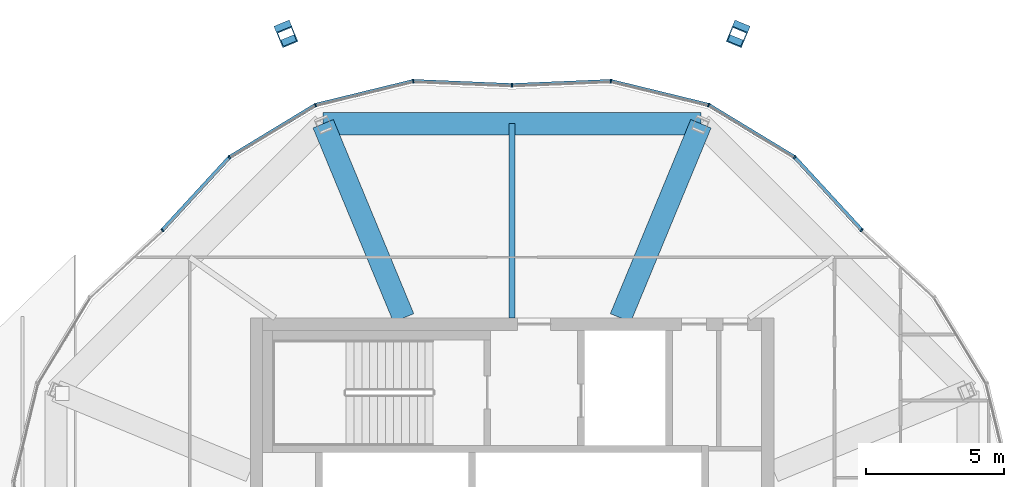
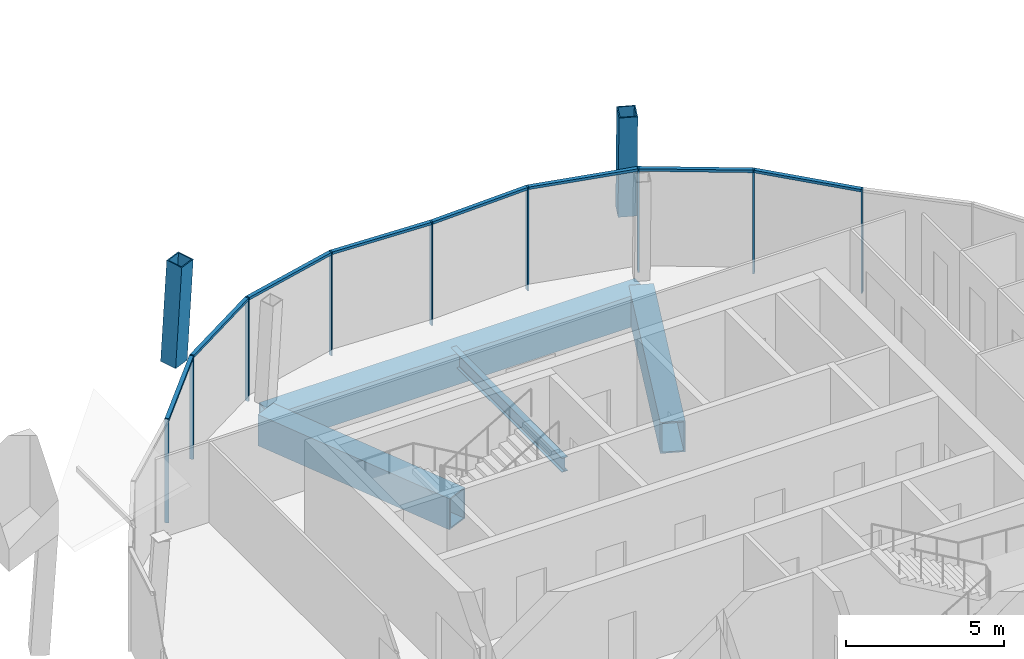
# One storey, part 7 of 22: 19 members, 4 beams, 3 elements without a shape of their own.
"""IFC4 building model written with IfcOpenShell, lengths in metres."""

from ifc_helpers import new_model, si_unit, direction, frame, origin, origin_2d, place, context, subcontext, project, spatial, rectangle, hollow_rectangle, i_section, extrude, material, material_profile, profile_set, type_object, element, aggregate, save


model = new_model("IFC4")

# Units and contexts
model_context = context("Model", 3, precision=1e-05, world=origin(), true_north=direction((0.0, 1.0)))
body_context = subcontext(model_context, "Body", "Model", "MODEL_VIEW")
ifc_project = project(units=[si_unit("LENGTHUNIT", "METRE"), si_unit("AREAUNIT", "SQUARE_METRE"), si_unit("VOLUMEUNIT", "CUBIC_METRE"), si_unit("PLANEANGLEUNIT", "RADIAN"), si_unit("MASSUNIT", "GRAM", prefix="KILO")], contexts=[model_context])

# Site, building, storey
site_placement = place(None, origin())
site = spatial("IfcSite", under=ifc_project, at=site_placement, CompositionType="ELEMENT")
building_placement = place(site_placement, origin())
building = spatial("IfcBuilding", under=site, at=building_placement, Name="Ogive Gate Towers", CompositionType="ELEMENT")
storey_placement = place(building_placement, frame((0.0, 0.0, 298.0)))
storey = spatial("IfcBuildingStorey", under=building, at=storey_placement, Name="L70", CompositionType="ELEMENT", Elevation=298.0)

# Curtain wall, member
ifc_material_1 = material(Name="Pale metal aluminium", Category="aluminium")
curtain_wall_type = type_object("IfcCurtainWallType", Name="Crown lean wall", PredefinedType="NOTDEFINED", material=ifc_material_1)
curtain_wall_1_placement = place(storey_placement, origin())
curtain_wall_1 = element("IfcCurtainWall", 1, at=curtain_wall_1_placement, inside=storey, type_object=curtain_wall_type, Name="CW5 T1 ECW01", PredefinedType="NOTDEFINED")
ifc_material_profile_1 = material_profile(ifc_material_1, rectangle(XDim=0.139892578125, YDim=0.050048828125, at=origin_2d()), Name="50 x 140 aluminium box")
ifc_profile_set_1 = profile_set([ifc_material_profile_1], Name="Pale metal aluminium")
member_type_1 = type_object("IfcMemberType", Name="Crown lean wall mullion 50 x 140", PredefinedType="MULLION", material=ifc_profile_set_1)
member_1_placement = place(storey_placement, frame((-23.3154296875, 12.686279296875, -0.300048828125), z_axis=(0.0, 0.0, 1.0), x_axis=(-0.677184245918, -0.735813493407, 0.0)))
member_1 = element("IfcMember", 2, at=member_1_placement, type_object=member_type_1, Name="CW5 mullion", PredefinedType="MULLION", context=body_context, shape_type="SweptSolid", body=[
    extrude(rectangle(XDim=0.139892578125, YDim=0.050048828125, at=origin_2d()), origin(), (0.0, 0.0, 1.0), 4.0),
])
aggregate(curtain_wall_1, [member_1])

# Curtain wall, members
curtain_wall_2_placement = place(storey_placement, origin())
curtain_wall_2 = element("IfcCurtainWall", 3, at=curtain_wall_2_placement, inside=storey, type_object=curtain_wall_type, Name="CW5 T1 ECW02", PredefinedType="NOTDEFINED")
member_2_placement = place(storey_placement, frame((-36.001220703125, 17.940185546875, -0.300048828125), z_axis=(0.0, 0.0, 1.0), x_axis=(0.041439700181, -0.99914100669, 0.0)))
member_2 = element("IfcMember", 4, at=member_2_placement, type_object=member_type_1, Name="CW5 mullion", PredefinedType="MULLION", context=body_context, shape_type="SweptSolid", body=[
    extrude(rectangle(XDim=0.139892578125, YDim=0.050048828125, at=origin_2d()), origin(), (0.0, 0.0, 1.0), 4.0),
])
member_3_placement = place(storey_placement, frame((-32.414794921875, 18.088623046875, -0.300048828125), z_axis=(0.0, 0.0, 1.0), x_axis=(-0.098833462017, -0.995103987926, 0.0)))
member_3 = element("IfcMember", 5, at=member_3_placement, type_object=member_type_1, Name="CW5 mullion", PredefinedType="MULLION", context=body_context, shape_type="SweptSolid", body=[
    extrude(rectangle(XDim=0.139892578125, YDim=0.050048828125, at=origin_2d()), origin(), (0.0, 0.0, 1.0), 4.0),
])
member_4_placement = place(storey_placement, frame((-28.8662109375, 17.22216796875, -0.300048828125), z_axis=(0.0, 0.0, 1.0), x_axis=(-0.382683432365, -0.923879532511, 0.0)))
member_4 = element("IfcMember", 6, at=member_4_placement, type_object=member_type_1, Name="CW5 mullion", PredefinedType="MULLION", context=body_context, shape_type="SweptSolid", body=[
    extrude(rectangle(XDim=0.139892578125, YDim=0.050048828125, at=origin_2d()), origin(), (0.0, 0.0, 1.0), 4.0),
])
member_5_placement = place(storey_placement, frame((-25.744384765625, 15.325439453125, -0.300048828125), z_axis=(0.0, 0.0, 1.0), x_axis=(-0.633772467207, -0.77351952775, 0.0)))
member_5 = element("IfcMember", 7, at=member_5_placement, type_object=member_type_1, Name="CW5 mullion", PredefinedType="MULLION", context=body_context, shape_type="SweptSolid", body=[
    extrude(rectangle(XDim=0.139892578125, YDim=0.050048828125, at=origin_2d()), origin(), (0.0, 0.0, 1.0), 4.0),
])

curtain_wall_3_placement = place(storey_placement, origin())
curtain_wall_3 = element("IfcCurtainWall", 8, at=curtain_wall_3_placement, inside=storey, type_object=curtain_wall_type, Name="CW5 T1 ECW03", PredefinedType="NOTDEFINED")
member_6_placement = place(storey_placement, frame((-48.686279296875, 12.6845703125, -0.300048828125), z_axis=(0.0, 0.0, 1.0), x_axis=(0.735813493407, -0.677184245918, 0.0)))
member_6 = element("IfcMember", 9, at=member_6_placement, type_object=member_type_1, Name="CW5 mullion", PredefinedType="MULLION", context=body_context, shape_type="SweptSolid", body=[
    extrude(rectangle(XDim=0.139892578125, YDim=0.050048828125, at=origin_2d()), origin(), (0.0, 0.0, 1.0), 4.0),
])
member_7_placement = place(storey_placement, frame((-46.255615234375, 15.325439453125, -0.300048828125), z_axis=(0.0, 0.0, 1.0), x_axis=(0.633772467207, -0.77351952775, 0.0)))
member_7 = element("IfcMember", 10, at=member_7_placement, type_object=member_type_1, Name="CW5 mullion", PredefinedType="MULLION", context=body_context, shape_type="SweptSolid", body=[
    extrude(rectangle(XDim=0.139892578125, YDim=0.050048828125, at=origin_2d()), origin(), (0.0, 0.0, 1.0), 4.0),
])
member_8_placement = place(storey_placement, frame((-43.1337890625, 17.22216796875, -0.300048828125), z_axis=(0.0, 0.0, 1.0), x_axis=(0.382683432365, -0.923879532511, 0.0)))
member_8 = element("IfcMember", 11, at=member_8_placement, type_object=member_type_1, Name="CW5 mullion", PredefinedType="MULLION", context=body_context, shape_type="SweptSolid", body=[
    extrude(rectangle(XDim=0.139892578125, YDim=0.050048828125, at=origin_2d()), origin(), (0.0, 0.0, 1.0), 4.0),
])
member_9_placement = place(storey_placement, frame((-39.585205078125, 18.088623046875, -0.300048828125), z_axis=(0.0, 0.0, 1.0), x_axis=(0.098833462017, -0.995103987926, 0.0)))
member_9 = element("IfcMember", 12, at=member_9_placement, type_object=member_type_1, Name="CW5 mullion", PredefinedType="MULLION", context=body_context, shape_type="SweptSolid", body=[
    extrude(rectangle(XDim=0.139892578125, YDim=0.050048828125, at=origin_2d()), origin(), (0.0, 0.0, 1.0), 4.0),
])

# Member
ifc_material_profile_2 = material_profile(ifc_material_1, rectangle(XDim=0.139892578125, YDim=0.10009765625, at=origin_2d()), Name="100 x 140 aluminium box")
ifc_profile_set_2 = profile_set([ifc_material_profile_2], Name="Pale metal aluminium")
member_type_2 = type_object("IfcMemberType", Name="Crown lean wall transom 100 x 140", PredefinedType="USERDEFINED", material=ifc_profile_set_2)
member_10_placement = place(storey_placement, frame((-35.976318359375, 17.941162109375, 3.64990234375), z_axis=(0.999141192632, 0.041435216725, 0.0), x_axis=(-0.041435216725, 0.999141192632, 0.0)))
member_10 = element("IfcMember", 13, at=member_10_placement, type_object=member_type_2, Name="CW5 transom", ObjectType="TRANSOM", PredefinedType="USERDEFINED", context=body_context, shape_type="SweptSolid", body=[
    extrude(rectangle(XDim=0.139892578125, YDim=0.10009765625, at=origin_2d()), origin(), (0.0, 0.0, 1.0), 3.53515625),
])

member_11_placement = place(storey_placement, frame((-32.386474609375, 18.081787109375, 3.64990234375), z_axis=(0.971474168805, -0.237145397056, 0.0), x_axis=(0.237145397056, 0.971474168805, 0.0)))
member_11 = element("IfcMember", 14, at=member_11_placement, type_object=member_type_2, Name="CW5 transom", ObjectType="TRANSOM", PredefinedType="USERDEFINED", context=body_context, shape_type="SweptSolid", body=[
    extrude(rectangle(XDim=0.139892578125, YDim=0.10009765625, at=origin_2d()), origin(), (0.0, 0.0, 1.0), 3.593994140625),
])

member_12_placement = place(storey_placement, frame((-28.8408203125, 17.207275390625, 3.64990234375), z_axis=(0.854590509475, -0.519302475553, 0.0), x_axis=(0.519302475553, 0.854590509475, 0.0)))
member_12 = element("IfcMember", 15, at=member_12_placement, type_object=member_type_2, Name="CW5 transom", ObjectType="TRANSOM", PredefinedType="USERDEFINED", context=body_context, shape_type="SweptSolid", body=[
    extrude(rectangle(XDim=0.139892578125, YDim=0.10009765625, at=origin_2d()), origin(), (0.0, 0.0, 1.0), 3.59423828125),
])

member_13_placement = place(storey_placement, frame((-25.724609375, 15.30419921875, 3.64990234375), z_axis=(0.677183685751, -0.735814008941, 0.0), x_axis=(0.735814008941, 0.677183685751, 0.0)))
member_13 = element("IfcMember", 16, at=member_13_placement, type_object=member_type_2, Name="CW5 transom", ObjectType="TRANSOM", PredefinedType="USERDEFINED", context=body_context, shape_type="SweptSolid", body=[
    extrude(rectangle(XDim=0.139892578125, YDim=0.10009765625, at=origin_2d()), origin(), (0.0, 0.0, 1.0), 3.535400390625),
])

aggregate(curtain_wall_2, [member_2, member_3, member_10, member_4, member_11, member_5, member_12, member_13])

member_14_placement = place(storey_placement, frame((-48.66943359375, 12.702880859375, 3.64990234375), z_axis=(0.677183685751, 0.735814008941, 0.0), x_axis=(-0.735814008941, 0.677183685751, 0.0)))
member_14 = element("IfcMember", 17, at=member_14_placement, type_object=member_type_2, Name="CW5 transom", ObjectType="TRANSOM", PredefinedType="USERDEFINED", context=body_context, shape_type="SweptSolid", body=[
    extrude(rectangle(XDim=0.139892578125, YDim=0.10009765625, at=origin_2d()), origin(), (0.0, 0.0, 1.0), 3.535400390625),
])

member_15_placement = place(storey_placement, frame((-46.230712890625, 15.3408203125, 3.64990234375), z_axis=(0.854590509475, 0.519302475553, 0.0), x_axis=(-0.519302475553, 0.854590509475, 0.0)))
member_15 = element("IfcMember", 18, at=member_15_placement, type_object=member_type_2, Name="CW5 transom", ObjectType="TRANSOM", PredefinedType="USERDEFINED", context=body_context, shape_type="SweptSolid", body=[
    extrude(rectangle(XDim=0.139892578125, YDim=0.10009765625, at=origin_2d()), origin(), (0.0, 0.0, 1.0), 3.59423828125),
])

member_16_placement = place(storey_placement, frame((-43.10498046875, 17.2294921875, 3.64990234375), z_axis=(0.971474168805, 0.237145397056, 0.0), x_axis=(-0.237145397056, 0.971474168805, 0.0)))
member_16 = element("IfcMember", 19, at=member_16_placement, type_object=member_type_2, Name="CW5 transom", ObjectType="TRANSOM", PredefinedType="USERDEFINED", context=body_context, shape_type="SweptSolid", body=[
    extrude(rectangle(XDim=0.139892578125, YDim=0.10009765625, at=origin_2d()), origin(), (0.0, 0.0, 1.0), 3.593994140625),
])

member_17_placement = place(storey_placement, frame((-39.555908203125, 18.087646484375, 3.64990234375), z_axis=(0.999141192632, -0.041435216725, 0.0), x_axis=(0.041435216725, 0.999141192632, 0.0)))
member_17 = element("IfcMember", 20, at=member_17_placement, type_object=member_type_2, Name="CW5 transom", ObjectType="TRANSOM", PredefinedType="USERDEFINED", context=body_context, shape_type="SweptSolid", body=[
    extrude(rectangle(XDim=0.139892578125, YDim=0.10009765625, at=origin_2d()), origin(), (0.0, 0.0, 1.0), 3.53515625),
])

aggregate(curtain_wall_3, [member_6, member_7, member_14, member_8, member_15, member_9, member_16, member_17])

# Members
ifc_material_2 = material(Name="Steel SM460", Category="steel")
ifc_material_profile_3 = material_profile(ifc_material_2, hollow_rectangle(XDim=0.60009765625, YDim=0.60009765625, WallThickness=0.0400390625, at=origin_2d()), Name="BX 600x600x40")
ifc_profile_set_3 = profile_set([ifc_material_profile_3], Name="Steel SM460")
member_type_3 = type_object("IfcMemberType", Name="Crown rib BX 600x600x40", PredefinedType="MEMBER", material=ifc_profile_set_3)
for number, where, z_axis, x_axis, name in (
    (21, (-27.749267578125, 19.919189453125, 0.0), (-0.023332863722, -0.056413137875, 0.99813482824), (0.924077607992, -0.382204885379, 0.0), "T1/L70/STR002"),
    (22, (-44.250732421875, 19.919189453125, 0.0), (0.023332863722, -0.056413137875, 0.99813482824), (0.924077607992, 0.382204885379, 0.0), "T1/L70/STR003"),
):
    element("IfcMember", number, at=place(storey_placement, frame(where, z_axis=z_axis, x_axis=x_axis)), inside=storey, type_object=member_type_3, Name=name, PredefinedType="MEMBER", context=body_context, shape_type="SweptSolid", body=[
        extrude(hollow_rectangle(XDim=0.60009765625, YDim=0.60009765625, WallThickness=0.0400390625, at=origin_2d()), origin(), (0.0, 0.0, 1.0), 4.007568359375),
    ])

# Beams
ifc_material_profile_4 = material_profile(ifc_material_2, hollow_rectangle(XDim=0.800048828125, YDim=1.199951171875, WallThickness=0.050048828125, at=origin_2d()), Name="BX 1200x800x50")
ifc_profile_set_4 = profile_set([ifc_material_profile_4], Name="Steel SM460")
beam_type_1 = type_object("IfcBeamType", Name="Edge girder BX 1200x800x50", PredefinedType="BEAM", material=ifc_profile_set_4)
beam_1_placement = place(storey_placement, frame((-29.146240234375, 16.546630859375, -0.89990234375), z_axis=(-1.0, 0.0, 0.0), x_axis=(0.0, -1.0, 0.0)))
element("IfcBeam", 23, at=beam_1_placement, inside=storey, type_object=beam_type_1, Name="T1/L70/SBM022", PredefinedType="BEAM", context=body_context, shape_type="SweptSolid", body=[
    extrude(hollow_rectangle(XDim=0.800048828125, YDim=1.199951171875, WallThickness=0.050048828125, at=origin_2d()), origin(), (0.0, 0.0, 1.0), 13.70751953125),
])
ifc_material_3 = material(Name="Steel SM355", Category="steel")
ifc_material_profile_5 = material_profile(ifc_material_3, i_section(OverallWidth=0.2099609375, OverallDepth=0.550048828125, WebThickness=0.010986328125, FlangeThickness=0.01708984375, FilletRadius=0.02392578125, at=origin_2d()), Name="IPE 550")
ifc_profile_set_5 = profile_set([ifc_material_profile_5], Name="Steel SM355")
beam_type_2 = type_object("IfcBeamType", Name="Radial floor beam IPE 550", PredefinedType="BEAM", material=ifc_profile_set_5)
beam_2_placement = place(storey_placement, frame((-36.0, 9.5, -0.574951171875), z_axis=(0.0, 1.0, 0.0), x_axis=(-1.0, 0.0, 0.0)))
element("IfcBeam", 24, at=beam_2_placement, inside=storey, type_object=beam_type_2, Name="T1/L70/SBM012", PredefinedType="BEAM", context=body_context, shape_type="SweptSolid", body=[
    extrude(i_section(OverallWidth=0.2099609375, OverallDepth=0.550048828125, WebThickness=0.010986328125, FlangeThickness=0.01708984375, FilletRadius=0.02392578125, at=origin_2d()), origin(), (0.0, 0.0, 1.0), 7.046630859375),
])
ifc_material_profile_6 = material_profile(ifc_material_2, hollow_rectangle(XDim=0.800048828125, YDim=1.199951171875, WallThickness=0.050048828125, at=origin_2d()), Name="BX 1200x800x50")
ifc_profile_set_6 = profile_set([ifc_material_profile_6], Name="Steel SM460")
beam_type_3 = type_object("IfcBeamType", Name="Transfer radial beam BX 1200x800x50", PredefinedType="BEAM", material=ifc_profile_set_6)
for number, where, z_axis, x_axis, name in (
    (25, (-32.06494140625, 9.5, -0.89990234375), (0.382671245488, 0.923884580387, 0.0), (-0.923884580387, 0.382671245488, 0.0), "T1/L70/SBM011"),
    (26, (-39.93505859375, 9.5, -0.89990234375), (-0.382671245488, 0.923884580387, 0.0), (-0.923884580387, -0.382671245488, 0.0), "T1/L70/SBM013"),
):
    element("IfcBeam", number, at=place(storey_placement, frame(where, z_axis=z_axis, x_axis=x_axis)), inside=storey, type_object=beam_type_3, Name=name, PredefinedType="BEAM", context=body_context, shape_type="SweptSolid", body=[
        extrude(hollow_rectangle(XDim=0.800048828125, YDim=1.199951171875, WallThickness=0.050048828125, at=origin_2d()), origin(), (0.0, 0.0, 1.0), 7.627197265625),
    ])

save(model, "model.ifc")
